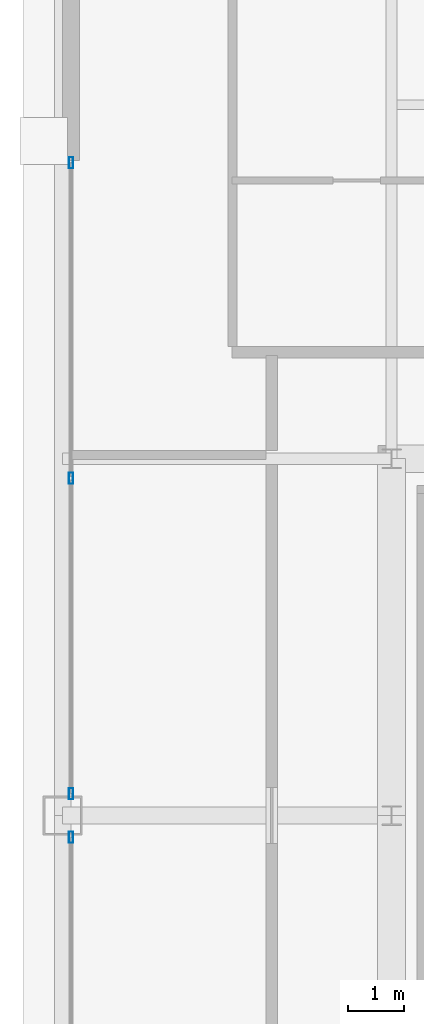
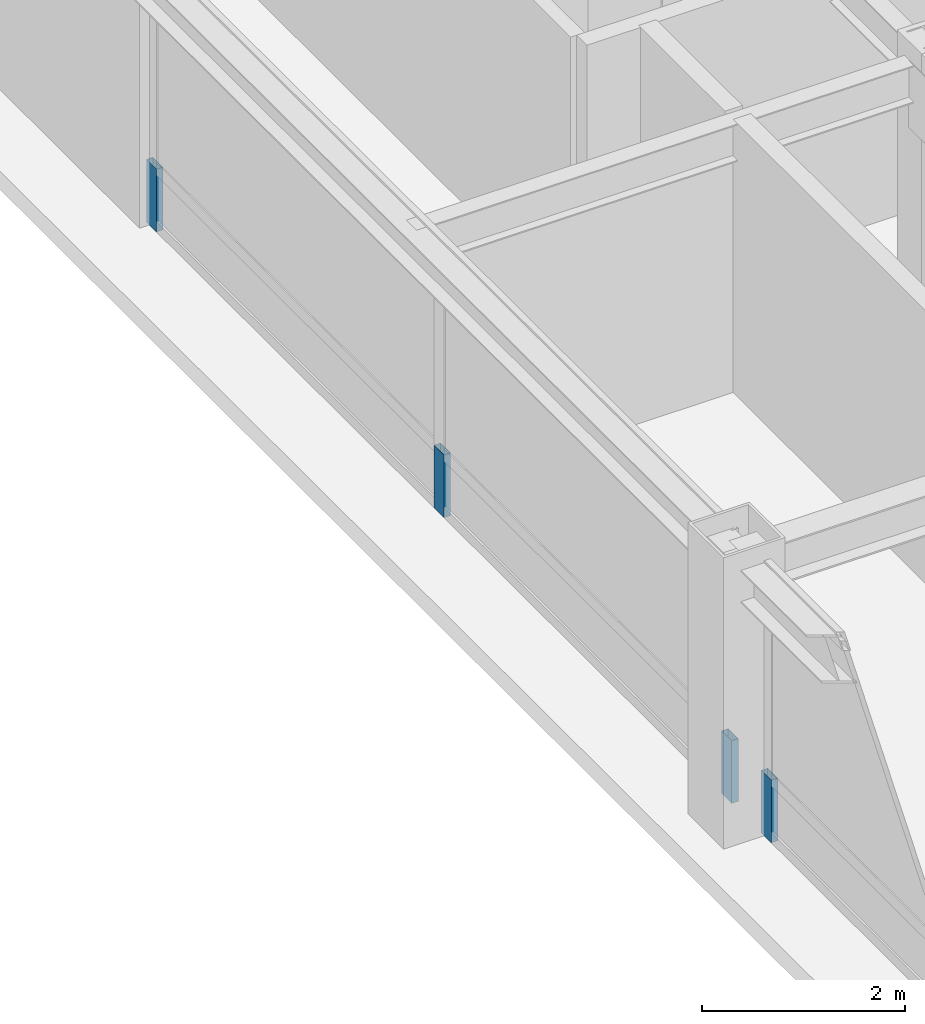
# One storey, part 24 of 35: 4 members, 2 elements without a shape of their own.
"""IFC4 building model written with IfcOpenShell, lengths in metres."""

from ifc_helpers import new_model, si_unit, direction, frame, origin, origin_2d, place, context, subcontext, project, spatial, hollow_rectangle, extrude, source, transform, mapped, material, layer, layer_set, material_profile, profile_set, type_object, element, aggregate, save


model = new_model("IFC4")

# Units and contexts
model_context = context("Model", 3, precision=1e-05, world=origin(), true_north=direction((0.0, 1.0)))
body_context = subcontext(model_context, "Body", "Model", "MODEL_VIEW")
ifc_project = project(units=[si_unit("LENGTHUNIT", "METRE"), si_unit("AREAUNIT", "SQUARE_METRE"), si_unit("VOLUMEUNIT", "CUBIC_METRE"), si_unit("PLANEANGLEUNIT", "RADIAN"), si_unit("MASSUNIT", "GRAM", prefix="KILO"), si_unit("THERMODYNAMICTEMPERATUREUNIT", "KELVIN"), si_unit("POWERUNIT", "WATT")], contexts=[model_context])

# Site, building, storey
site_placement = place(None, origin())
site = spatial("IfcSite", under=ifc_project, at=site_placement, CompositionType="ELEMENT")
building_placement = place(site_placement, origin())
building = spatial("IfcBuilding", under=site, at=building_placement, Name="Yuzanri Waterfront Tower", CompositionType="ELEMENT")
storey_placement = place(building_placement, frame((0.0, 0.0, 332.199951171875)))
storey = spatial("IfcBuildingStorey", under=building, at=storey_placement, Name="L89", CompositionType="ELEMENT", Elevation=332.199951171875)

# Curtain wall, member
ifc_material_1 = material(Name="Anodized Architectural Bronze", Category="metal")
ifc_layer = layer(ifc_material_1, 0.159912109375)
ifc_layer_set = layer_set([ifc_layer], Name="Anodized Architectural Bronze")
curtain_wall_type = type_object("IfcCurtainWallType", Name="Anodized Bronze High-Rise Penthouse High-Wind Unitized Curtain Wall 6900", PredefinedType="NOTDEFINED", material=ifc_layer_set)
curtain_wall_1_placement = place(storey_placement, origin())
curtain_wall_1 = element("IfcCurtainWall", 1, at=curtain_wall_1_placement, inside=storey, type_object=curtain_wall_type, Name="L89 Curtain Wall CW-L89-WL", PredefinedType="NOTDEFINED")
ifc_material_2 = material(Name="Anodized Architectural Bronze", Category="metal")
ifc_material_profile = material_profile(ifc_material_2, hollow_rectangle(XDim=0.074951171875, YDim=0.199951171875, WallThickness=0.00390625, at=origin_2d()), Name="CWM 75x200")
ifc_profile_set = profile_set([ifc_material_profile], Name="Anodized Architectural Bronze")
member_type = type_object("IfcMemberType", Name="Anodized Bronze Primary Curtain-Wall Mullion 75x200", PredefinedType="MULLION", material=ifc_profile_set)
shared_shape = source(origin(), body_context, "Body", "SweptSolid", [
    extrude(hollow_rectangle(XDim=0.074951171875, YDim=0.199951171875, WallThickness=0.00390625, at=origin_2d()), origin(), (0.0, 0.0, 1.0), 0.751953125),
])
member_1_placement = place(storey_placement, frame((18.050048828125, 25.409912109375, 0.0), z_axis=(0.0, 0.0, 1.0), x_axis=(1.0, 0.0, 0.0)))
member_1 = element("IfcMember", 2, at=member_1_placement, type_object=member_type, Name="CW-L89-WL Lower Mullion 02", PredefinedType="MULLION", context=body_context, shape_type="MappedRepresentation", body=[
    mapped(shared_shape, transform((0.0, 0.0, 0.0), scale=1.0)),
])
aggregate(curtain_wall_1, [member_1])

# Curtain wall, members
curtain_wall_2_placement = place(storey_placement, origin())
curtain_wall_2 = element("IfcCurtainWall", 3, at=curtain_wall_2_placement, inside=storey, type_object=curtain_wall_type, Name="L89 Curtain Wall CW-L89-WR", PredefinedType="NOTDEFINED")
member_2_placement = place(storey_placement, frame((18.050048828125, 26.18994140625, 0.0), z_axis=(0.0, 0.0, 1.0), x_axis=(1.0, 0.0, 0.0)))
member_2 = element("IfcMember", 4, at=member_2_placement, type_object=member_type, Name="CW-L89-WR Lower Mullion 00", PredefinedType="MULLION", context=body_context, shape_type="MappedRepresentation", body=[
    mapped(shared_shape, transform((0.0, 0.0, 0.0), scale=1.0)),
])
member_3_placement = place(storey_placement, frame((18.050048828125, 31.85009765625, 0.0), z_axis=(0.0, 0.0, 1.0), x_axis=(1.0, 0.0, 0.0)))
member_3 = element("IfcMember", 5, at=member_3_placement, type_object=member_type, Name="CW-L89-WR Lower Mullion 01", PredefinedType="MULLION", context=body_context, shape_type="MappedRepresentation", body=[
    mapped(shared_shape, transform((0.0, 0.0, 0.0), scale=1.0)),
])
member_4_placement = place(storey_placement, frame((18.050048828125, 37.510009765625, 0.0), z_axis=(0.0, 0.0, 1.0), x_axis=(1.0, 0.0, 0.0)))
member_4 = element("IfcMember", 6, at=member_4_placement, type_object=member_type, Name="CW-L89-WR Lower Mullion 02", PredefinedType="MULLION", context=body_context, shape_type="MappedRepresentation", body=[
    mapped(shared_shape, transform((0.0, 0.0, 0.0), scale=1.0)),
])
aggregate(curtain_wall_2, [member_2, member_3, member_4])

save(model, "model.ifc")
